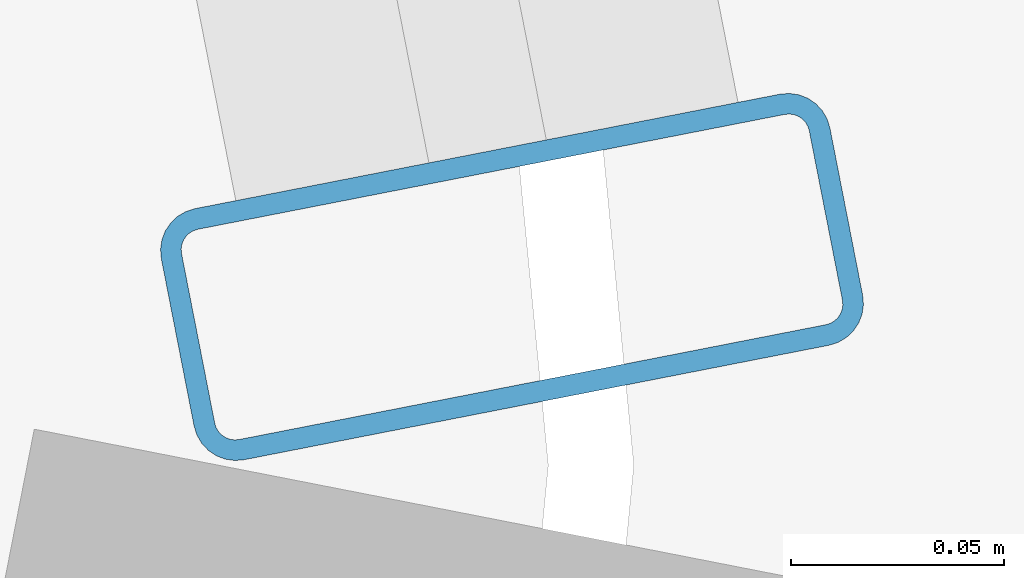
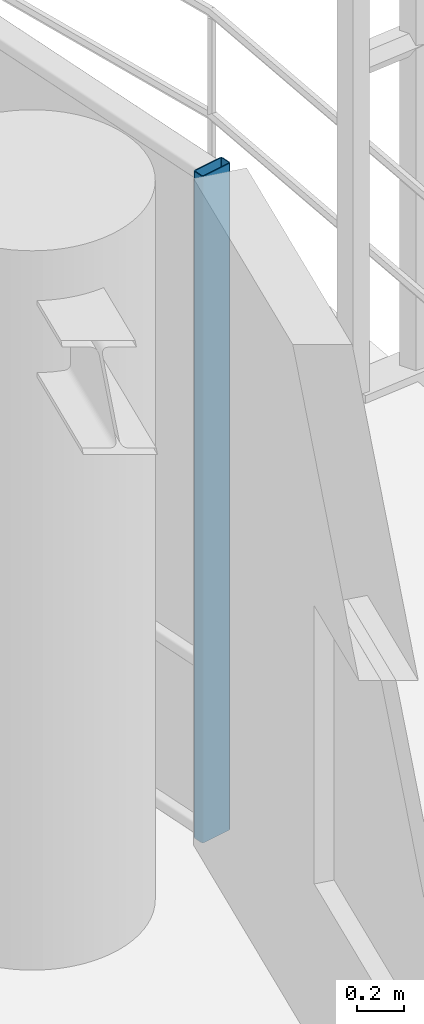
# One storey, part 14 of 31: 1 member, 1 element without a shape of its own.
"""IFC4 building model written with IfcOpenShell, lengths in metres."""

from ifc_helpers import new_model, si_unit, direction, frame, origin, origin_2d, place, context, subcontext, project, spatial, hollow_rectangle, extrude, material, layer, layer_set, material_profile, profile_set, type_object, element, aggregate, save


model = new_model("IFC4")

# Units and contexts
model_context = context("Model", 3, precision=1e-05, world=origin(), true_north=direction((0.0, 1.0)))
body_context = subcontext(model_context, "Body", "Model", "MODEL_VIEW")
ifc_project = project(units=[si_unit("LENGTHUNIT", "METRE"), si_unit("AREAUNIT", "SQUARE_METRE"), si_unit("VOLUMEUNIT", "CUBIC_METRE"), si_unit("PLANEANGLEUNIT", "RADIAN"), si_unit("MASSUNIT", "GRAM", prefix="KILO")], contexts=[model_context])

# Site, building, storey
site_placement = place(None, origin())
site = spatial("IfcSite", under=ifc_project, at=site_placement, CompositionType="ELEMENT")
building_placement = place(site_placement, origin())
building = spatial("IfcBuilding", under=site, at=building_placement, Name="Kelanora Arch Commons", CompositionType="ELEMENT")
storey_placement = place(building_placement, frame((0.0, 0.0, 223.199951171875)))
storey = spatial("IfcBuildingStorey", under=building, at=storey_placement, Name="L57", CompositionType="ELEMENT", Elevation=223.199951171875)

# Curtain wall, member
ifc_material_1 = material(Name="Terracotta ceramic-fritted low-E glass and aluminium", Category="masonry")
ifc_layer = layer(ifc_material_1, 0.175048828125)
ifc_layer_set = layer_set([ifc_layer], Name="Terracotta ceramic-fritted low-E glass and aluminium")
curtain_wall_type = type_object("IfcCurtainWallType", Name="CW-SYS-02", PredefinedType="NOTDEFINED", material=ifc_layer_set)
curtain_wall_placement = place(storey_placement, origin())
curtain_wall = element("IfcCurtainWall", 1, at=curtain_wall_placement, inside=storey, type_object=curtain_wall_type, Name="Unitised Curtain Wall L57-B00", PredefinedType="NOTDEFINED")
ifc_material_2 = material(Name="Powder-coated aluminium terracotta", Category="masonry")
ifc_material_profile = material_profile(ifc_material_2, hollow_rectangle(XDim=0.159912109375, YDim=0.06005859375, WallThickness=0.0048828125, InnerFilletRadius=0.0048828125, OuterFilletRadius=0.010009765625, at=origin_2d()), Name="CWM160x60")
ifc_profile_set = profile_set([ifc_material_profile], Name="Powder-coated aluminium terracotta")
member_type = type_object("IfcMemberType", Name="CWM-STD", PredefinedType="MULLION", material=ifc_profile_set)
member_placement = place(storey_placement, frame((96.19140625, 58.044189453125, 0.0), z_axis=(0.0, 0.0, 1.0), x_axis=(-0.981381438349, -0.192068926335, 0.0)))
member = element("IfcMember", 2, at=member_placement, type_object=member_type, Name="CW-02 mullion 1", PredefinedType="MULLION", context=body_context, shape_type="SweptSolid", body=[
    extrude(hollow_rectangle(XDim=0.159912109375, YDim=0.06005859375, WallThickness=0.0048828125, InnerFilletRadius=0.0048828125, OuterFilletRadius=0.010009765625, at=origin_2d()), origin(), (0.0, 0.0, 1.0), 3.47509765625),
])
aggregate(curtain_wall, [member])

save(model, "model.ifc")
